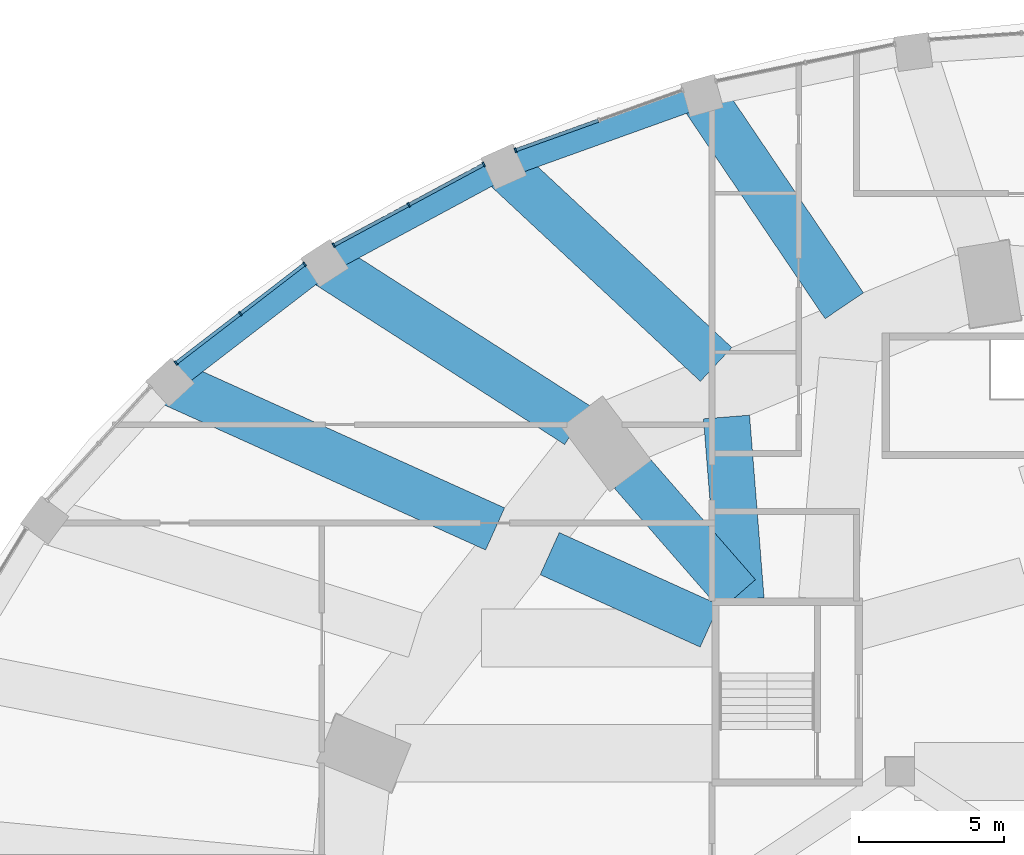
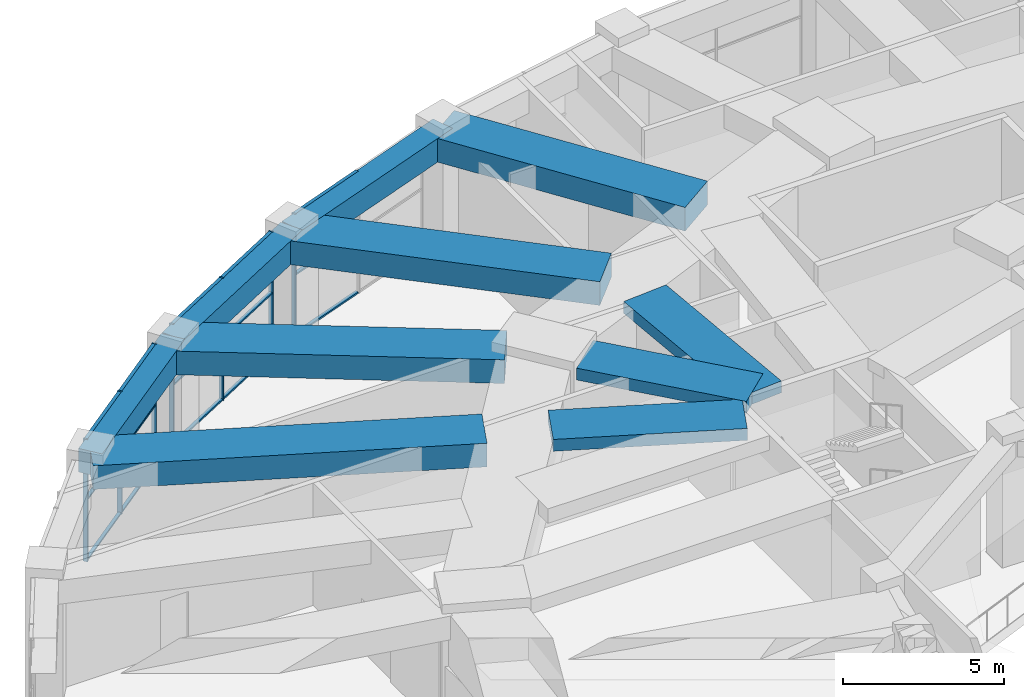
# One storey, part 10 of 30: 22 members, 10 beams, 3 elements without a shape of their own.
"""IFC4 building model written with IfcOpenShell, lengths in metres."""

from ifc_helpers import new_model, si_unit, direction, frame, origin, origin_2d, place, context, subcontext, project, spatial, rectangle, extrude, material, material_profile, profile_set, type_object, element, aggregate, save


model = new_model("IFC4")

# Units and contexts
model_context = context("Model", 3, precision=1e-05, world=origin(), true_north=direction((0.0, 1.0)))
body_context = subcontext(model_context, "Body", "Model", "MODEL_VIEW")
ifc_project = project(units=[si_unit("LENGTHUNIT", "METRE"), si_unit("AREAUNIT", "SQUARE_METRE"), si_unit("VOLUMEUNIT", "CUBIC_METRE"), si_unit("PLANEANGLEUNIT", "RADIAN"), si_unit("MASSUNIT", "GRAM", prefix="KILO")], contexts=[model_context])

# Site, building, storey
site_placement = place(None, origin())
site = spatial("IfcSite", under=ifc_project, at=site_placement, CompositionType="ELEMENT")
building_placement = place(site_placement, origin())
building = spatial("IfcBuilding", under=site, at=building_placement, Name="Taillehof Tower", CompositionType="ELEMENT")
storey_placement = place(building_placement, frame((0.0, 0.0, 12.5)))
storey = spatial("IfcBuildingStorey", under=building, at=storey_placement, Name="L02", CompositionType="ELEMENT", Elevation=12.5)

# Beams
ifc_material_1 = material(Name="Concrete C50/60", Category="concrete")
ifc_material_profile_1 = material_profile(ifc_material_1, rectangle(XDim=0.800048828125, YDim=0.89990234375, at=origin_2d()), Name="RC 800x900")
ifc_profile_set_1 = profile_set([ifc_material_profile_1], Name="Concrete C50/60")
beam_type_1 = type_object("IfcBeamType", Name="Podium edge beam C50/60 800x900", PredefinedType="BEAM", material=ifc_profile_set_1)
beam_1_placement = place(storey_placement, frame((-14.84375, 31.3857421875, 4.199951171875), z_axis=(-0.941227460002, -0.337773398209, 0.0), x_axis=(0.337773398209, -0.941227460002, 0.0)))
element("IfcBeam", 1, at=beam_1_placement, inside=storey, type_object=beam_type_1, Name="Podium edge beam PB12", PredefinedType="BEAM", context=body_context, shape_type="SweptSolid", body=[
    extrude(rectangle(XDim=0.800048828125, YDim=0.89990234375, at=origin_2d()), origin(), (0.0, 0.0, 1.0), 7.284423828125),
])
beam_2_placement = place(storey_placement, frame((-21.699951171875, 28.92529296875, 4.199951171875), z_axis=(-0.880322944269, -0.474374866317, 0.0), x_axis=(0.474374866317, -0.880322944269, 0.0)))
element("IfcBeam", 2, at=beam_2_placement, inside=storey, type_object=beam_type_1, Name="Podium edge beam PB13", PredefinedType="BEAM", context=body_context, shape_type="SweptSolid", body=[
    extrude(rectangle(XDim=0.800048828125, YDim=0.89990234375, at=origin_2d()), origin(), (0.0, 0.0, 1.0), 7.03955078125),
])
beam_3_placement = place(storey_placement, frame((-27.89697265625, 25.5859375, 4.199951171875), z_axis=(-0.79247741179, -0.609901263978, 0.0), x_axis=(0.609901263978, -0.79247741179, 0.0)))
element("IfcBeam", 3, at=beam_3_placement, inside=storey, type_object=beam_type_1, Name="Podium edge beam PB14", PredefinedType="BEAM", context=body_context, shape_type="SweptSolid", body=[
    extrude(rectangle(XDim=0.800048828125, YDim=0.89990234375, at=origin_2d()), origin(), (0.0, 0.0, 1.0), 6.750244140625),
])
ifc_material_2 = material(Name="Concrete C50/60", Category="concrete")
ifc_material_profile_2 = material_profile(ifc_material_2, rectangle(XDim=1.60009765625, YDim=0.89990234375, at=origin_2d()), Name="RC 1600x900")
ifc_profile_set_2 = profile_set([ifc_material_profile_2], Name="Concrete C50/60")
beam_type_2 = type_object("IfcBeamType", Name="Podium radial beam C50/60 1600x900", PredefinedType="BEAM", material=ifc_profile_set_2)
beam_4_placement = place(storey_placement, frame((-14.84375, 31.3857421875, 4.199951171875), z_axis=(0.560372770014, -0.828240519793, 0.0), x_axis=(0.828240519793, 0.560372770014, 0.0)))
element("IfcBeam", 4, at=beam_4_placement, inside=storey, type_object=beam_type_2, Name="Podium radial beam PR12", PredefinedType="BEAM", context=body_context, shape_type="SweptSolid", body=[
    extrude(rectangle(XDim=1.60009765625, YDim=0.89990234375, at=origin_2d()), origin(), (0.0, 0.0, 1.0), 8.77978515625),
])
beam_5_placement = place(storey_placement, frame((-21.699951171875, 28.92529296875, 4.199951171875), z_axis=(0.731614026769, -0.681719088653, 0.0), x_axis=(0.681719088653, 0.731614026769, 0.0)))
element("IfcBeam", 5, at=beam_5_placement, inside=storey, type_object=beam_type_2, Name="Podium radial beam PR13", PredefinedType="BEAM", context=body_context, shape_type="SweptSolid", body=[
    extrude(rectangle(XDim=1.60009765625, YDim=0.89990234375, at=origin_2d()), origin(), (0.0, 0.0, 1.0), 10.03564453125),
])
beam_6_placement = place(storey_placement, frame((-27.89697265625, 25.5859375, 4.199951171875), z_axis=(0.841849251076, -0.539712736984, 0.0), x_axis=(0.539712736984, 0.841849251076, 0.0)))
element("IfcBeam", 6, at=beam_6_placement, inside=storey, type_object=beam_type_2, Name="Podium radial beam PR14", PredefinedType="BEAM", context=body_context, shape_type="SweptSolid", body=[
    extrude(rectangle(XDim=1.60009765625, YDim=0.89990234375, at=origin_2d()), origin(), (0.0, 0.0, 1.0), 10.372802734375),
])
beam_7_placement = place(storey_placement, frame((-33.246337890625, 21.468994140625, 4.199951171875), z_axis=(0.911448409223, -0.411414386385, 0.0), x_axis=(0.411414386385, 0.911448409223, 0.0)))
element("IfcBeam", 7, at=beam_7_placement, inside=storey, type_object=beam_type_2, Name="Podium radial beam PR15", PredefinedType="BEAM", context=body_context, shape_type="SweptSolid", body=[
    extrude(rectangle(XDim=1.60009765625, YDim=0.89990234375, at=origin_2d()), origin(), (0.0, 0.0, 1.0), 12.336669921875),
])

# Curtain wall, member
ifc_material_3 = material(Name="Aluminium curtain wall with Clear low-emissivity double glazing", Category="aluminium")
curtain_wall_type = type_object("IfcCurtainWallType", Name="Podium window wall curtain wall", PredefinedType="USERDEFINED", material=ifc_material_3)
curtain_wall_1_placement = place(storey_placement, origin())
curtain_wall_1 = element("IfcCurtainWall", 8, at=curtain_wall_1_placement, inside=storey, type_object=curtain_wall_type, Name="Podium window wall L02 bay 12", ObjectType="WINDOW WALL", PredefinedType="USERDEFINED")
ifc_material_4 = material(Name="Aluminium mullion", Category="aluminium")
ifc_material_profile_3 = material_profile(ifc_material_4, rectangle(XDim=0.159912109375, YDim=0.06005859375, at=origin_2d()), Name="AL 60x160")
ifc_profile_set_3 = profile_set([ifc_material_profile_3], Name="Aluminium mullion")
member_type_1 = type_object("IfcMemberType", Name="Podium window wall mullion 60x160", PredefinedType="MULLION", material=ifc_profile_set_3)
member_1_placement = place(storey_placement, frame((-21.29638671875, 29.4931640625, 0.0), z_axis=(0.0, 0.0, 1.0), x_axis=(0.337798502496, -0.94121845058, 0.0)))
member_1 = element("IfcMember", 9, at=member_1_placement, type_object=member_type_1, Name="CT212 mullion 3", PredefinedType="MULLION", context=body_context, shape_type="SweptSolid", body=[
    extrude(rectangle(XDim=0.159912109375, YDim=0.06005859375, at=origin_2d()), origin(), (0.0, 0.0, 1.0), 4.64990234375),
])

# Curtain wall, members
curtain_wall_2_placement = place(storey_placement, origin())
curtain_wall_2 = element("IfcCurtainWall", 10, at=curtain_wall_2_placement, inside=storey, type_object=curtain_wall_type, Name="Podium window wall L02 bay 13", ObjectType="WINDOW WALL", PredefinedType="USERDEFINED")
member_2_placement = place(storey_placement, frame((-22.392333984375, 29.004638671875, 0.0), z_axis=(0.0, 0.0, 1.0), x_axis=(0.474414781992, -0.880301433958, 0.0)))
member_2 = element("IfcMember", 11, at=member_2_placement, type_object=member_type_1, Name="CT213 mullion 1", PredefinedType="MULLION", context=body_context, shape_type="SweptSolid", body=[
    extrude(rectangle(XDim=0.159912109375, YDim=0.06005859375, at=origin_2d()), origin(), (0.0, 0.0, 1.0), 4.64990234375),
])
member_3_placement = place(storey_placement, frame((-24.98828125, 27.60546875, 0.0), z_axis=(0.0, 0.0, 1.0), x_axis=(0.474414781992, -0.880301433958, 0.0)))
member_3 = element("IfcMember", 12, at=member_3_placement, type_object=member_type_1, Name="CT213 mullion 2", PredefinedType="MULLION", context=body_context, shape_type="SweptSolid", body=[
    extrude(rectangle(XDim=0.159912109375, YDim=0.06005859375, at=origin_2d()), origin(), (0.0, 0.0, 1.0), 4.64990234375),
])
member_4_placement = place(storey_placement, frame((-27.584228515625, 26.20654296875, 0.0), z_axis=(0.0, 0.0, 1.0), x_axis=(0.474414781992, -0.880301433958, 0.0)))
member_4 = element("IfcMember", 13, at=member_4_placement, type_object=member_type_1, Name="CT213 mullion 3", PredefinedType="MULLION", context=body_context, shape_type="SweptSolid", body=[
    extrude(rectangle(XDim=0.159912109375, YDim=0.06005859375, at=origin_2d()), origin(), (0.0, 0.0, 1.0), 4.64990234375),
])

curtain_wall_3_placement = place(storey_placement, origin())
curtain_wall_3 = element("IfcCurtainWall", 14, at=curtain_wall_3_placement, inside=storey, type_object=curtain_wall_type, Name="Podium window wall L02 bay 14", ObjectType="WINDOW WALL", PredefinedType="USERDEFINED")
member_5_placement = place(storey_placement, frame((-28.59130859375, 25.5537109375, 0.0), z_axis=(0.0, 0.0, 1.0), x_axis=(0.60993206075, -0.792453709228, 0.0)))
member_5 = element("IfcMember", 15, at=member_5_placement, type_object=member_type_1, Name="CT214 mullion 1", PredefinedType="MULLION", context=body_context, shape_type="SweptSolid", body=[
    extrude(rectangle(XDim=0.159912109375, YDim=0.06005859375, at=origin_2d()), origin(), (0.0, 0.0, 1.0), 4.64990234375),
])
member_6_placement = place(storey_placement, frame((-30.8154296875, 23.842041015625, 0.0), z_axis=(0.0, 0.0, 1.0), x_axis=(0.60993206075, -0.792453709228, 0.0)))
member_6 = element("IfcMember", 16, at=member_6_placement, type_object=member_type_1, Name="CT214 mullion 2", PredefinedType="MULLION", context=body_context, shape_type="SweptSolid", body=[
    extrude(rectangle(XDim=0.159912109375, YDim=0.06005859375, at=origin_2d()), origin(), (0.0, 0.0, 1.0), 4.64990234375),
])
member_7_placement = place(storey_placement, frame((-33.03955078125, 22.130126953125, 0.0), z_axis=(0.0, 0.0, 1.0), x_axis=(0.60993206075, -0.792453709228, 0.0)))
member_7 = element("IfcMember", 17, at=member_7_placement, type_object=member_type_1, Name="CT214 mullion 3", PredefinedType="MULLION", context=body_context, shape_type="SweptSolid", body=[
    extrude(rectangle(XDim=0.159912109375, YDim=0.06005859375, at=origin_2d()), origin(), (0.0, 0.0, 1.0), 4.64990234375),
])

# Member
ifc_material_5 = material(Name="Aluminium transom", Category="aluminium")
ifc_material_profile_4 = material_profile(ifc_material_5, rectangle(XDim=0.1201171875, YDim=0.06005859375, at=origin_2d()), Name="AL 120x60")
ifc_profile_set_4 = profile_set([ifc_material_profile_4], Name="Aluminium transom")
member_type_2 = type_object("IfcMemberType", Name="Podium window wall transom 120x60", PredefinedType="USERDEFINED", material=ifc_profile_set_4)
member_8_placement = place(storey_placement, frame((-18.435546875, 30.52001953125, 0.030029296875), z_axis=(-0.941215836147, -0.337805787081, 0.0), x_axis=(0.337805787081, -0.941215836147, 0.0)))
member_8 = element("IfcMember", 18, at=member_8_placement, type_object=member_type_2, Name="CT212 transom 2.1", ObjectType="TRANSOM", PredefinedType="USERDEFINED", context=body_context, shape_type="SweptSolid", body=[
    extrude(rectangle(XDim=0.1201171875, YDim=0.06005859375, at=origin_2d()), origin(), (0.0, 0.0, 1.0), 3.009521484375),
])

member_9_placement = place(storey_placement, frame((-18.435546875, 30.52001953125, 2.324951171875), z_axis=(-0.941215836147, -0.337805787081, 0.0), x_axis=(0.337805787081, -0.941215836147, 0.0)))
member_9 = element("IfcMember", 19, at=member_9_placement, type_object=member_type_2, Name="CT212 transom 2.2", ObjectType="TRANSOM", PredefinedType="USERDEFINED", context=body_context, shape_type="SweptSolid", body=[
    extrude(rectangle(XDim=0.1201171875, YDim=0.06005859375, at=origin_2d()), origin(), (0.0, 0.0, 1.0), 3.009521484375),
])

member_10_placement = place(storey_placement, frame((-18.435546875, 30.52001953125, 4.6201171875), z_axis=(-0.941215836147, -0.337805787081, 0.0), x_axis=(0.337805787081, -0.941215836147, 0.0)))
member_10 = element("IfcMember", 20, at=member_10_placement, type_object=member_type_2, Name="CT212 transom 2.3", ObjectType="TRANSOM", PredefinedType="USERDEFINED", context=body_context, shape_type="SweptSolid", body=[
    extrude(rectangle(XDim=0.1201171875, YDim=0.06005859375, at=origin_2d()), origin(), (0.0, 0.0, 1.0), 3.009521484375),
])

aggregate(curtain_wall_1, [member_1, member_8, member_9, member_10])

member_11_placement = place(storey_placement, frame((-22.418701171875, 28.990478515625, 0.030029296875), z_axis=(-0.880300092261, -0.474417271571, 0.0), x_axis=(0.474417271571, -0.880300092261, 0.0)))
member_11 = element("IfcMember", 21, at=member_11_placement, type_object=member_type_2, Name="CT213 transom 1.1", ObjectType="TRANSOM", PredefinedType="USERDEFINED", context=body_context, shape_type="SweptSolid", body=[
    extrude(rectangle(XDim=0.1201171875, YDim=0.06005859375, at=origin_2d()), origin(), (0.0, 0.0, 1.0), 2.888916015625),
])

member_12_placement = place(storey_placement, frame((-22.418701171875, 28.990478515625, 2.324951171875), z_axis=(-0.880300092261, -0.474417271571, 0.0), x_axis=(0.474417271571, -0.880300092261, 0.0)))
member_12 = element("IfcMember", 22, at=member_12_placement, type_object=member_type_2, Name="CT213 transom 1.2", ObjectType="TRANSOM", PredefinedType="USERDEFINED", context=body_context, shape_type="SweptSolid", body=[
    extrude(rectangle(XDim=0.1201171875, YDim=0.06005859375, at=origin_2d()), origin(), (0.0, 0.0, 1.0), 2.888916015625),
])

member_13_placement = place(storey_placement, frame((-22.418701171875, 28.990478515625, 4.6201171875), z_axis=(-0.880300092261, -0.474417271571, 0.0), x_axis=(0.474417271571, -0.880300092261, 0.0)))
member_13 = element("IfcMember", 23, at=member_13_placement, type_object=member_type_2, Name="CT213 transom 1.3", ObjectType="TRANSOM", PredefinedType="USERDEFINED", context=body_context, shape_type="SweptSolid", body=[
    extrude(rectangle(XDim=0.1201171875, YDim=0.06005859375, at=origin_2d()), origin(), (0.0, 0.0, 1.0), 2.888916015625),
])

member_14_placement = place(storey_placement, frame((-25.014892578125, 27.59130859375, 0.030029296875), z_axis=(-0.880281070202, -0.474452566063, 0.0), x_axis=(0.474452566063, -0.880281070202, 0.0)))
member_14 = element("IfcMember", 24, at=member_14_placement, type_object=member_type_2, Name="CT213 transom 2.1", ObjectType="TRANSOM", PredefinedType="USERDEFINED", context=body_context, shape_type="SweptSolid", body=[
    extrude(rectangle(XDim=0.1201171875, YDim=0.06005859375, at=origin_2d()), origin(), (0.0, 0.0, 1.0), 2.888916015625),
])

member_15_placement = place(storey_placement, frame((-25.014892578125, 27.59130859375, 2.324951171875), z_axis=(-0.880281070202, -0.474452566063, 0.0), x_axis=(0.474452566063, -0.880281070202, 0.0)))
member_15 = element("IfcMember", 25, at=member_15_placement, type_object=member_type_2, Name="CT213 transom 2.2", ObjectType="TRANSOM", PredefinedType="USERDEFINED", context=body_context, shape_type="SweptSolid", body=[
    extrude(rectangle(XDim=0.1201171875, YDim=0.06005859375, at=origin_2d()), origin(), (0.0, 0.0, 1.0), 2.888916015625),
])

member_16_placement = place(storey_placement, frame((-25.014892578125, 27.59130859375, 4.6201171875), z_axis=(-0.880281070202, -0.474452566063, 0.0), x_axis=(0.474452566063, -0.880281070202, 0.0)))
member_16 = element("IfcMember", 26, at=member_16_placement, type_object=member_type_2, Name="CT213 transom 2.3", ObjectType="TRANSOM", PredefinedType="USERDEFINED", context=body_context, shape_type="SweptSolid", body=[
    extrude(rectangle(XDim=0.1201171875, YDim=0.06005859375, at=origin_2d()), origin(), (0.0, 0.0, 1.0), 2.888916015625),
])

aggregate(curtain_wall_2, [member_2, member_3, member_4, member_11, member_12, member_13, member_14, member_15, member_16])

member_17_placement = place(storey_placement, frame((-28.614990234375, 25.535400390625, 0.030029296875), z_axis=(-0.792481870823, -0.609895470075, 0.0), x_axis=(0.609895470075, -0.792481870823, 0.0)))
member_17 = element("IfcMember", 27, at=member_17_placement, type_object=member_type_2, Name="CT214 transom 1.1", ObjectType="TRANSOM", PredefinedType="USERDEFINED", context=body_context, shape_type="SweptSolid", body=[
    extrude(rectangle(XDim=0.1201171875, YDim=0.06005859375, at=origin_2d()), origin(), (0.0, 0.0, 1.0), 2.746337890625),
])

member_18_placement = place(storey_placement, frame((-28.614990234375, 25.535400390625, 2.324951171875), z_axis=(-0.792481870823, -0.609895470075, 0.0), x_axis=(0.609895470075, -0.792481870823, 0.0)))
member_18 = element("IfcMember", 28, at=member_18_placement, type_object=member_type_2, Name="CT214 transom 1.2", ObjectType="TRANSOM", PredefinedType="USERDEFINED", context=body_context, shape_type="SweptSolid", body=[
    extrude(rectangle(XDim=0.1201171875, YDim=0.06005859375, at=origin_2d()), origin(), (0.0, 0.0, 1.0), 2.746337890625),
])

member_19_placement = place(storey_placement, frame((-28.614990234375, 25.535400390625, 4.6201171875), z_axis=(-0.792481870823, -0.609895470075, 0.0), x_axis=(0.609895470075, -0.792481870823, 0.0)))
member_19 = element("IfcMember", 29, at=member_19_placement, type_object=member_type_2, Name="CT214 transom 1.3", ObjectType="TRANSOM", PredefinedType="USERDEFINED", context=body_context, shape_type="SweptSolid", body=[
    extrude(rectangle(XDim=0.1201171875, YDim=0.06005859375, at=origin_2d()), origin(), (0.0, 0.0, 1.0), 2.746337890625),
])

member_20_placement = place(storey_placement, frame((-30.839111328125, 23.82373046875, 0.030029296875), z_axis=(-0.792438906392, -0.609951292839, 0.0), x_axis=(0.609951292839, -0.792438906392, 0.0)))
member_20 = element("IfcMember", 30, at=member_20_placement, type_object=member_type_2, Name="CT214 transom 2.1", ObjectType="TRANSOM", PredefinedType="USERDEFINED", context=body_context, shape_type="SweptSolid", body=[
    extrude(rectangle(XDim=0.1201171875, YDim=0.06005859375, at=origin_2d()), origin(), (0.0, 0.0, 1.0), 2.74658203125),
])

member_21_placement = place(storey_placement, frame((-30.839111328125, 23.82373046875, 2.324951171875), z_axis=(-0.792438906392, -0.609951292839, 0.0), x_axis=(0.609951292839, -0.792438906392, 0.0)))
member_21 = element("IfcMember", 31, at=member_21_placement, type_object=member_type_2, Name="CT214 transom 2.2", ObjectType="TRANSOM", PredefinedType="USERDEFINED", context=body_context, shape_type="SweptSolid", body=[
    extrude(rectangle(XDim=0.1201171875, YDim=0.06005859375, at=origin_2d()), origin(), (0.0, 0.0, 1.0), 2.74658203125),
])

member_22_placement = place(storey_placement, frame((-30.839111328125, 23.82373046875, 4.6201171875), z_axis=(-0.792438906392, -0.609951292839, 0.0), x_axis=(0.609951292839, -0.792438906392, 0.0)))
member_22 = element("IfcMember", 32, at=member_22_placement, type_object=member_type_2, Name="CT214 transom 2.3", ObjectType="TRANSOM", PredefinedType="USERDEFINED", context=body_context, shape_type="SweptSolid", body=[
    extrude(rectangle(XDim=0.1201171875, YDim=0.06005859375, at=origin_2d()), origin(), (0.0, 0.0, 1.0), 2.74658203125),
])

aggregate(curtain_wall_3, [member_5, member_6, member_7, member_17, member_18, member_19, member_20, member_21, member_22])

# Beams
ifc_material_6 = material(Name="Concrete C50/60", Category="concrete")
ifc_material_profile_5 = material_profile(ifc_material_6, rectangle(XDim=1.60009765625, YDim=0.449951171875, at=origin_2d()), Name="RC 1600x450")
ifc_profile_set_5 = profile_set([ifc_material_profile_5], Name="Concrete C50/60")
beam_type_3 = type_object("IfcBeamType", Name="Radial band beam C50/60 1600x450", PredefinedType="BEAM", material=ifc_profile_set_5)
beam_8_placement = place(storey_placement, frame((-13.997802734375, 20.266357421875, 4.425048828125), z_axis=(0.079183157709, -0.996860084232, 0.0), x_axis=(0.996860084232, 0.079183157709, 0.0)))
element("IfcBeam", 33, at=beam_8_placement, inside=storey, type_object=beam_type_3, Name="Radial band beam RB13", PredefinedType="BEAM", context=body_context, shape_type="SweptSolid", body=[
    extrude(rectangle(XDim=1.60009765625, YDim=0.449951171875, at=origin_2d()), origin(), (0.0, 0.0, 1.0), 6.3359375),
])
beam_9_placement = place(storey_placement, frame((-17.275146484375, 18.329345703125, 4.425048828125), z_axis=(0.657212129722, -0.753705656438, 0.0), x_axis=(0.753705656438, 0.657212129722, 0.0)))
element("IfcBeam", 34, at=beam_9_placement, inside=storey, type_object=beam_type_3, Name="Radial band beam RB14", PredefinedType="BEAM", context=body_context, shape_type="SweptSolid", body=[
    extrude(rectangle(XDim=1.60009765625, YDim=0.449951171875, at=origin_2d()), origin(), (0.0, 0.0, 1.0), 5.593994140625),
])
beam_10_placement = place(storey_placement, frame((-20.11376953125, 15.53955078125, 4.425048828125), z_axis=(0.911109719802, -0.412163897598, 0.0), x_axis=(0.412163897598, 0.911109719802, 0.0)))
element("IfcBeam", 35, at=beam_10_placement, inside=storey, type_object=beam_type_3, Name="Radial band beam RB15", PredefinedType="BEAM", context=body_context, shape_type="SweptSolid", body=[
    extrude(rectangle(XDim=1.60009765625, YDim=0.449951171875, at=origin_2d()), origin(), (0.0, 0.0, 1.0), 6.07373046875),
])

save(model, "model.ifc")
